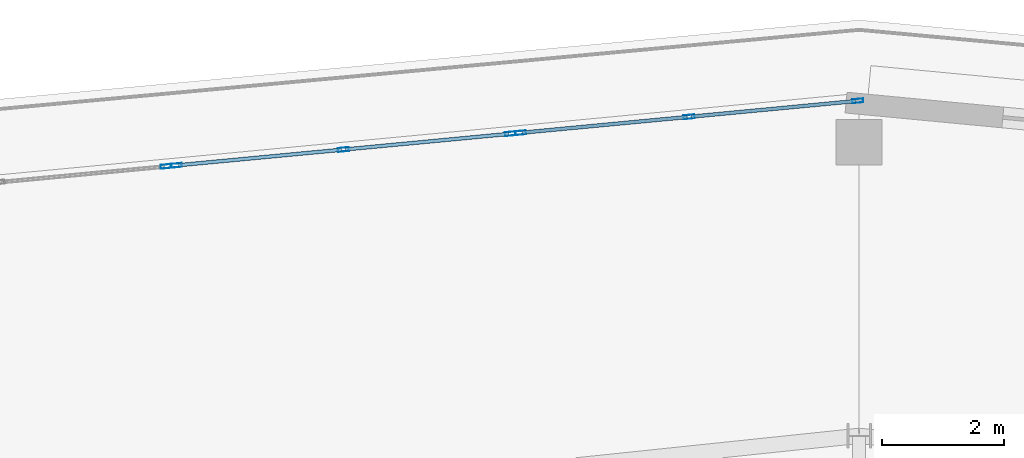
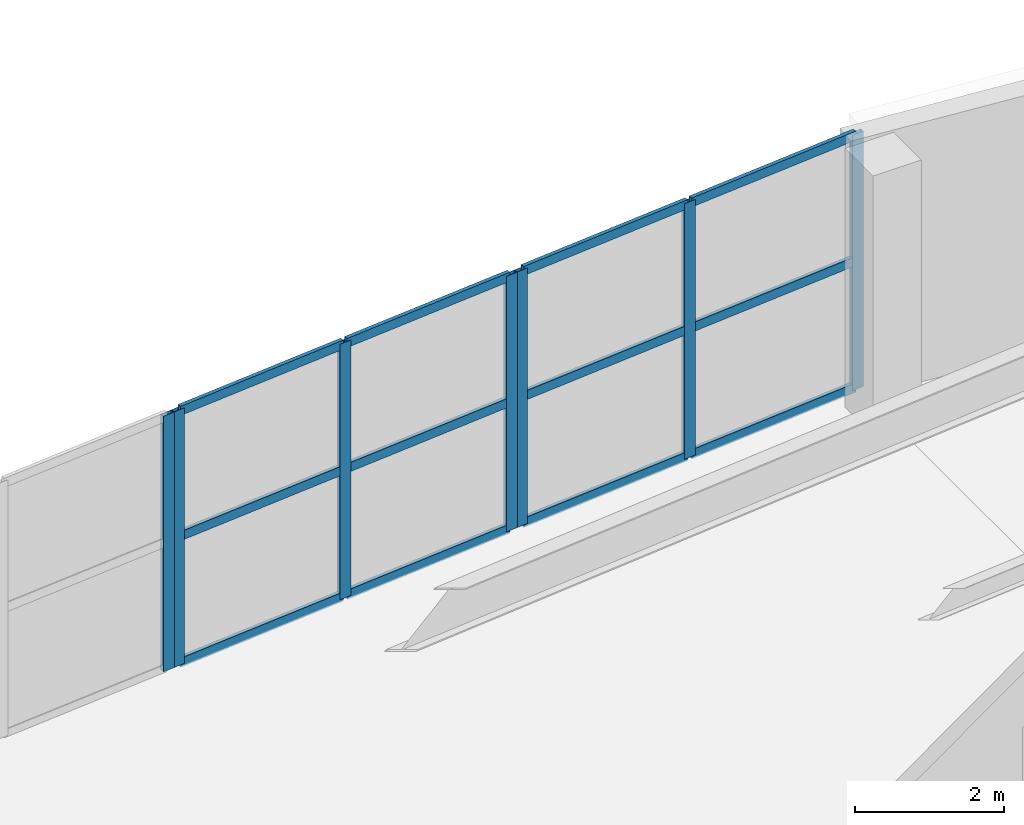
# One storey, part 36 of 107: 19 members, 3 elements without a shape of their own.
"""IFC4 building model written with IfcOpenShell, lengths in metres."""

import ifcopenshell
import ifcopenshell.guid

model = None  # the IFC model being written
_history = None  # IfcOwnerHistory: only IFC2X3 demands one
_inside = {}  # id of a spatial element -> (the spatial element, [elements in it])
_under = {}  # id of a project, library or spatial element -> (it, [spatial elements below it])
_declared = {}  # id of a project -> (the project, [libraries it declares])
_typed = {}  # id of a type object -> (the type object, [elements of that type])
_made_of = {}  # id of a material, layer set ... -> (it, [elements and type objects made of it])


def new_model(schema):
    """Start an empty IFC model of exactly this schema.

    Asked for "IFC4X3", IfcOpenShell would pick the latest addendum, in which some entities
    have other attributes; the version numbers below select the first issue.
    IFC2X3 requires an IfcOwnerHistory on every rooted entity: one is made here for all.
    """
    global model, _history
    if schema == "IFC4X3":
        model = ifcopenshell.file(schema_version=(4, 3, 0, 0))
    else:
        model = ifcopenshell.file(schema=schema)
    _inside.clear()
    _under.clear()
    _declared.clear()
    _typed.clear()
    _made_of.clear()
    _history = None
    if model.schema == "IFC2X3":
        org = make("IfcOrganization", Name="unknown")
        user = make(
            "IfcPersonAndOrganization",
            ThePerson=make("IfcPerson", FamilyName="unknown"),
            TheOrganization=org,
        )
        app = make(
            "IfcApplication",
            ApplicationDeveloper=org,
            Version="unknown",
            ApplicationFullName="unknown",
            ApplicationIdentifier="unknown",
        )
        _history = make(
            "IfcOwnerHistory",
            OwningUser=user,
            OwningApplication=app,
            ChangeAction="ADDED",
            CreationDate=0,
        )
    return model


def make(cls, **values):
    """One entity of the class cls with the attributes given. An attribute that is None is left unset."""
    return model.create_entity(
        cls, **{name: value for name, value in values.items() if value is not None}
    )


def rooted(cls, **values):
    """An entity with a GlobalId (a new one), such as an element, a storey or a relation."""
    return make(cls, GlobalId=ifcopenshell.guid.new(), OwnerHistory=_history, **values)


def si_unit(unit_type, name, prefix=None):
    """IfcSIUnit, for example si_unit("LENGTHUNIT", "METRE", prefix="MILLI")."""
    return make("IfcSIUnit", UnitType=unit_type, Prefix=prefix, Name=name)


def assignment(units):
    """IfcUnitAssignment: the units of a project."""
    return None if units is None else make("IfcUnitAssignment", Units=units)


def point(xyz):
    """IfcCartesianPoint."""
    return None if xyz is None else make("IfcCartesianPoint", Coordinates=xyz)


def direction(xyz):
    """IfcDirection."""
    return None if xyz is None else make("IfcDirection", DirectionRatios=xyz)


def frame(location, z_axis=None, x_axis=None):
    """IfcAxis2Placement3D, a coordinate frame: its origin and axes. An axis left out is left unset."""
    return make(
        "IfcAxis2Placement3D",
        Location=point(location),
        Axis=direction(z_axis),
        RefDirection=direction(x_axis),
    )


def frame_2d(location, x_axis=None):
    """IfcAxis2Placement2D, a coordinate frame in the plane: its origin and x axis."""
    return make(
        "IfcAxis2Placement2D", Location=point(location), RefDirection=direction(x_axis)
    )


def origin():
    """The frame at (0, 0, 0) with its axes left unset."""
    return frame((0.0, 0.0, 0.0))


def origin_2d():
    """The frame at (0, 0) in the plane with its x axis left unset."""
    return frame_2d((0.0, 0.0))


def place(relative_to, where):
    """IfcLocalPlacement: puts the frame where relative to a parent placement (None: the world)."""
    return make(
        "IfcLocalPlacement", PlacementRelTo=relative_to, RelativePlacement=where
    )


def context(
    kind, dimensions, precision=None, world=None, true_north=None, identifier=None
):
    """IfcGeometricRepresentationContext, for example the 3D "Model" context."""
    return make(
        "IfcGeometricRepresentationContext",
        ContextIdentifier=identifier,
        ContextType=kind,
        CoordinateSpaceDimension=dimensions,
        Precision=precision,
        WorldCoordinateSystem=world,
        TrueNorth=true_north,
    )


def subcontext(parent, identifier, kind, view, scale=None):
    """IfcGeometricRepresentationSubContext, for example "Body" below "Model"."""
    return make(
        "IfcGeometricRepresentationSubContext",
        ContextIdentifier=identifier,
        ContextType=kind,
        ParentContext=parent,
        TargetScale=scale,
        TargetView=view,
    )


def project(units=None, contexts=None):
    """IfcProject with its units and contexts."""
    return rooted(
        "IfcProject",
        Name="project",
        RepresentationContexts=contexts,
        UnitsInContext=assignment(units),
    )


def spatial(cls, under=None, at=None, **own):
    """A site, building, storey or space (cls), placed at a placement, below another one or the project."""
    s = rooted(cls, ObjectPlacement=at, **own)
    if under is not None:
        _under.setdefault(under.id(), (under, []))[1].append(s)
    return s


def profile(cls, at=None, kind="AREA", **sizes):
    """A parametric profile (cls). Its sizes go by their IFC names, for example OverallWidth=200.0."""
    return make(cls, ProfileType=kind, Position=at, **sizes)


def hollow_rectangle(**sizes):
    """IfcRectangleHollowProfileDef."""
    return profile("IfcRectangleHollowProfileDef", **sizes)


def extrude(swept, where, along, depth):
    """IfcExtrudedAreaSolid: the profile swept, set in the frame where, extruded along a direction by depth."""
    return make(
        "IfcExtrudedAreaSolid",
        SweptArea=swept,
        Position=where,
        ExtrudedDirection=direction(along),
        Depth=depth,
    )


def shape(context_of_items, identifier, shape_type, items):
    """IfcShapeRepresentation: the items that make up one representation, for example the "Body"."""
    return make(
        "IfcShapeRepresentation",
        ContextOfItems=context_of_items,
        RepresentationIdentifier=identifier,
        RepresentationType=shape_type,
        Items=items,
    )


def material(Name=None, Category=None):
    """IfcMaterial."""
    return make("IfcMaterial", Name=Name, Category=Category)


def layer(
    of_material, thickness, ventilated=None, Name=None, Category=None, Priority=None
):
    """IfcMaterialLayer: one layer of a wall or slab, of a material (None: an air gap)."""
    return make(
        "IfcMaterialLayer",
        Material=of_material,
        LayerThickness=thickness,
        IsVentilated=ventilated,
        Name=Name,
        Category=Category,
        Priority=Priority,
    )


def layer_set(layers, Name=None):
    """IfcMaterialLayerSet."""
    return make("IfcMaterialLayerSet", MaterialLayers=layers, LayerSetName=Name)


def material_profile(
    of_material, cross_section, Name=None, Category=None, Priority=None
):
    """IfcMaterialProfile: a cross section and its material."""
    return make(
        "IfcMaterialProfile",
        Name=Name,
        Material=of_material,
        Profile=cross_section,
        Priority=Priority,
        Category=Category,
    )


def profile_set(profiles, Name=None, composite=None):
    """IfcMaterialProfileSet."""
    return make(
        "IfcMaterialProfileSet",
        Name=Name,
        MaterialProfiles=profiles,
        CompositeProfile=composite,
    )


def made_of(thing, what):
    """Note that an element or type object is made of a material, layer set ...; save() writes the relation."""
    if what is not None:
        _made_of.setdefault(what.id(), (what, []))[1].append(thing)
    return thing


def type_object(cls, material=None, **own):
    """A type object (cls), such as IfcWallType, which elements share."""
    return made_of(rooted(cls, **own), material)


def element(
    cls,
    number,
    at=None,
    inside=None,
    cuts=None,
    type_object=None,
    material=None,
    context=None,
    identifier="Body",
    shape_type=None,
    held_by="IfcProductDefinitionShape",
    body=None,
    shapes=None,
    **own,
):
    """One element of the class cls, such as IfcWall. Its Tag is "e" and its number.

    at: its placement. inside: the storey or other place that contains it. cuts: it is an
    opening in that element (IfcRelVoidsElement). A single representation is given by context,
    identifier, shape_type and body (its items); several are given by shapes. held_by: the class
    of the entity that holds the representations. save() writes the other relations.
    """
    e = rooted(cls, Tag="e%d" % number, ObjectPlacement=at, **own)
    if body is not None:
        shapes = [shape(context, identifier, shape_type, body)]
    if shapes is not None:
        e.Representation = make(held_by, Representations=shapes)
    if inside is not None:
        _inside.setdefault(inside.id(), (inside, []))[1].append(e)
    if cuts is not None:
        rooted(
            "IfcRelVoidsElement", RelatingBuildingElement=cuts, RelatedOpeningElement=e
        )
    if type_object is not None:
        _typed.setdefault(type_object.id(), (type_object, []))[1].append(e)
    return made_of(e, material)


def aggregate(whole, parts):
    """IfcRelAggregates: a whole, such as a stair, and the parts it consists of."""
    return rooted("IfcRelAggregates", RelatingObject=whole, RelatedObjects=parts)


def save(model, path):
    """Write the relations noted so far, then the file.

    IfcRelAggregates (storeys below a building ...), IfcRelContainedInSpatialStructure (elements
    in a storey), IfcRelDefinesByType, IfcRelAssociatesMaterial and IfcRelDeclares: one each for
    every whole, place, type object, material and project.
    """
    for whole, parts in _under.values():
        aggregate(whole, parts)
    for where, things in _inside.values():
        rooted(
            "IfcRelContainedInSpatialStructure",
            RelatedElements=things,
            RelatingStructure=where,
        )
    for kind, things in _typed.values():
        rooted("IfcRelDefinesByType", RelatedObjects=things, RelatingType=kind)
    for what, things in _made_of.values():
        rooted("IfcRelAssociatesMaterial", RelatedObjects=things, RelatingMaterial=what)
    for by, libraries in _declared.values():
        rooted("IfcRelDeclares", RelatingContext=by, RelatedDefinitions=libraries)
    model.write(path)


model = new_model("IFC4")

# Units and contexts
model_context = context("Model", 3, precision=1e-05, world=origin(), true_north=direction((0.0, 1.0)))
body_context = subcontext(model_context, "Body", "Model", "MODEL_VIEW")
ifc_project = project(units=[si_unit("LENGTHUNIT", "METRE"), si_unit("AREAUNIT", "SQUARE_METRE"), si_unit("VOLUMEUNIT", "CUBIC_METRE"), si_unit("PLANEANGLEUNIT", "RADIAN"), si_unit("MASSUNIT", "GRAM", prefix="KILO")], contexts=[model_context])

# Site, building, storey
site_placement = place(None, origin())
site = spatial("IfcSite", under=ifc_project, at=site_placement, CompositionType="ELEMENT")
building_placement = place(site_placement, origin())
building = spatial("IfcBuilding", under=site, at=building_placement, Name="Kalgoora Escarpment Arena", CompositionType="ELEMENT")
storey_placement = place(building_placement, frame((0.0, 0.0, 5.39990234375)))
storey = spatial("IfcBuildingStorey", under=building, at=storey_placement, Name="L01", CompositionType="ELEMENT", Elevation=5.39990234375)

# Curtain wall, member
ifc_material_1 = material(Name=" Champagne anodised aluminium & double-glazed low-E", Category="aluminium")
ifc_layer_1 = layer(ifc_material_1, 0.162109375)
ifc_layer_set_1 = layer_set([ifc_layer_1], Name="CW-UNIT-03")
curtain_wall_type_1 = type_object("IfcCurtainWallType", Name="CW-UNIT-03", PredefinedType="NOTDEFINED", material=ifc_layer_set_1)
curtain_wall_1_placement = place(storey_placement, origin())
curtain_wall_1 = element("IfcCurtainWall", 1, at=curtain_wall_1_placement, inside=storey, type_object=curtain_wall_type_1, Name="L01 unitised facade curtain wall 022", PredefinedType="NOTDEFINED")
ifc_material_2 = material(Name="Anodised aluminium 6063-T6", Category="aluminium")
ifc_material_profile_1 = material_profile(ifc_material_2, hollow_rectangle(XDim=0.06494140625, YDim=0.179931640625, WallThickness=0.00390625, at=origin_2d()))
ifc_profile_set_1 = profile_set([ifc_material_profile_1], Name="Anodised aluminium 6063-T6")
member_type_1 = type_object("IfcMemberType", Name="MEM-CW-MULL-180", PredefinedType="MULLION", material=ifc_profile_set_1)
member_1_placement = place(storey_placement, frame((81.070556640625, 125.40625, 0.02001953125), z_axis=(0.0, 0.0, 1.0), x_axis=(-0.094301024516, 0.995543729213, 0.0)))
member_1 = element("IfcMember", 2, at=member_1_placement, type_object=member_type_1, Name="CW-03 mullion 3", PredefinedType="MULLION", context=body_context, shape_type="SweptSolid", body=[
    extrude(hollow_rectangle(XDim=0.06494140625, YDim=0.179931640625, WallThickness=0.00390625, at=origin_2d()), origin(), (0.0, 0.0, 1.0), 4.190185546875),
])
aggregate(curtain_wall_1, [member_1])

# Curtain wall, members
ifc_material_3 = material(Name=" Champagne anodised aluminium & double-glazed low-E", Category="aluminium")
ifc_layer_2 = layer(ifc_material_3, 0.166015625)
ifc_layer_set_2 = layer_set([ifc_layer_2], Name="CW-UNIT-04")
curtain_wall_type_2 = type_object("IfcCurtainWallType", Name="CW-UNIT-04", PredefinedType="NOTDEFINED", material=ifc_layer_set_2)
curtain_wall_2_placement = place(storey_placement, origin())
curtain_wall_2 = element("IfcCurtainWall", 3, at=curtain_wall_2_placement, inside=storey, type_object=curtain_wall_type_2, Name="L01 unitised facade curtain wall 023", PredefinedType="NOTDEFINED")
member_2_placement = place(storey_placement, frame((81.23486328125, 125.421875, 0.02001953125), z_axis=(0.0, 0.0, 1.0), x_axis=(-0.094301024516, 0.995543729213, 0.0)))
member_2 = element("IfcMember", 4, at=member_2_placement, type_object=member_type_1, Name="CW-04 mullion 1", PredefinedType="MULLION", context=body_context, shape_type="SweptSolid", body=[
    extrude(hollow_rectangle(XDim=0.06494140625, YDim=0.179931640625, WallThickness=0.00390625, at=origin_2d()), origin(), (0.0, 0.0, 1.0), 4.190185546875),
])
member_3_placement = place(storey_placement, frame((83.96728515625, 125.6806640625, 0.02001953125), z_axis=(0.0, 0.0, 1.0), x_axis=(-0.094301024516, 0.995543729213, 0.0)))
member_3 = element("IfcMember", 5, at=member_3_placement, type_object=member_type_1, Name="CW-04 mullion 2", PredefinedType="MULLION", context=body_context, shape_type="SweptSolid", body=[
    extrude(hollow_rectangle(XDim=0.06494140625, YDim=0.179931640625, WallThickness=0.00390625, at=origin_2d()), origin(), (0.0, 0.0, 1.0), 4.190185546875),
])
member_4_placement = place(storey_placement, frame((86.699951171875, 125.939453125, 0.02001953125), z_axis=(0.0, 0.0, 1.0), x_axis=(-0.094301024516, 0.995543729213, 0.0)))
member_4 = element("IfcMember", 6, at=member_4_placement, type_object=member_type_1, Name="CW-04 mullion 3", PredefinedType="MULLION", context=body_context, shape_type="SweptSolid", body=[
    extrude(hollow_rectangle(XDim=0.06494140625, YDim=0.179931640625, WallThickness=0.00390625, at=origin_2d()), origin(), (0.0, 0.0, 1.0), 4.190185546875),
])

ifc_material_4 = material(Name=" Champagne anodised aluminium & double-glazed low-E", Category="aluminium")
ifc_layer_3 = layer(ifc_material_4, 0.14990234375)
ifc_layer_set_3 = layer_set([ifc_layer_3], Name="CW-UNIT-05")
curtain_wall_type_3 = type_object("IfcCurtainWallType", Name="CW-UNIT-05", PredefinedType="NOTDEFINED", material=ifc_layer_set_3)
curtain_wall_3_placement = place(storey_placement, origin())
curtain_wall_3 = element("IfcCurtainWall", 7, at=curtain_wall_3_placement, inside=storey, type_object=curtain_wall_type_3, Name="L01 unitised facade curtain wall 024", PredefinedType="NOTDEFINED")
member_5_placement = place(storey_placement, frame((86.8642578125, 125.955078125, 0.02001953125), z_axis=(0.0, 0.0, 1.0), x_axis=(-0.094299655777, 0.995543858863, 0.0)))
member_5 = element("IfcMember", 8, at=member_5_placement, type_object=member_type_1, Name="CW-05 mullion 1", PredefinedType="MULLION", context=body_context, shape_type="SweptSolid", body=[
    extrude(hollow_rectangle(XDim=0.06494140625, YDim=0.179931640625, WallThickness=0.00390625, at=origin_2d()), origin(), (0.0, 0.0, 1.0), 4.190185546875),
])
member_6_placement = place(storey_placement, frame((89.62158203125, 126.21630859375, 0.02001953125), z_axis=(0.0, 0.0, 1.0), x_axis=(-0.094299655777, 0.995543858863, 0.0)))
member_6 = element("IfcMember", 9, at=member_6_placement, type_object=member_type_1, Name="CW-05 mullion 2", PredefinedType="MULLION", context=body_context, shape_type="SweptSolid", body=[
    extrude(hollow_rectangle(XDim=0.06494140625, YDim=0.179931640625, WallThickness=0.00390625, at=origin_2d()), origin(), (0.0, 0.0, 1.0), 4.190185546875),
])
member_7_placement = place(storey_placement, frame((92.37890625, 126.4775390625, 0.02001953125), z_axis=(0.0, 0.0, 1.0), x_axis=(-0.094299655777, 0.995543858863, 0.0)))
member_7 = element("IfcMember", 10, at=member_7_placement, type_object=member_type_1, Name="CW-05 mullion 3", PredefinedType="MULLION", context=body_context, shape_type="SweptSolid", body=[
    extrude(hollow_rectangle(XDim=0.06494140625, YDim=0.179931640625, WallThickness=0.00390625, at=origin_2d()), origin(), (0.0, 0.0, 1.0), 4.190185546875),
])

# Member
ifc_material_5 = material(Name="Anodised aluminium 6063-T6", Category="aluminium")
ifc_material_profile_2 = material_profile(ifc_material_5, hollow_rectangle(XDim=0.06005859375, YDim=0.14990234375, WallThickness=0.00341796875, at=origin_2d()))
ifc_profile_set_2 = profile_set([ifc_material_profile_2], Name="Anodised aluminium 6063-T6")
member_type_2 = type_object("IfcMemberType", Name="MEM-CW-TRAN-150", PredefinedType="USERDEFINED", material=ifc_profile_set_2)
member_8_placement = place(storey_placement, frame((81.26708984375, 125.425048828125, 0.050048828125), z_axis=(0.995544878907, 0.094288886317, 0.0), x_axis=(-0.094288886317, 0.995544878907, 0.0)))
member_8 = element("IfcMember", 11, at=member_8_placement, type_object=member_type_2, Name="CW-04 transom 1.1", ObjectType="TRANSOM", PredefinedType="USERDEFINED", context=body_context, shape_type="SweptSolid", body=[
    extrude(hollow_rectangle(XDim=0.06005859375, YDim=0.14990234375, WallThickness=0.00341796875, at=origin_2d()), origin(), (0.0, 0.0, 1.0), 2.679931640625),
])

member_9_placement = place(storey_placement, frame((81.26708984375, 125.425048828125, 2.125), z_axis=(0.995544878907, 0.094288886317, 0.0), x_axis=(-0.094288886317, 0.995544878907, 0.0)))
member_9 = element("IfcMember", 12, at=member_9_placement, type_object=member_type_2, Name="CW-04 transom 1.2", ObjectType="TRANSOM", PredefinedType="USERDEFINED", context=body_context, shape_type="SweptSolid", body=[
    extrude(hollow_rectangle(XDim=0.06005859375, YDim=0.14990234375, WallThickness=0.00341796875, at=origin_2d()), origin(), (0.0, 0.0, 1.0), 2.679931640625),
])

member_10_placement = place(storey_placement, frame((81.26708984375, 125.425048828125, 4.18017578125), z_axis=(0.995544878907, 0.094288886317, 0.0), x_axis=(-0.094288886317, 0.995544878907, 0.0)))
member_10 = element("IfcMember", 13, at=member_10_placement, type_object=member_type_2, Name="CW-04 transom 1.3", ObjectType="TRANSOM", PredefinedType="USERDEFINED", context=body_context, shape_type="SweptSolid", body=[
    extrude(hollow_rectangle(XDim=0.06005859375, YDim=0.14990234375, WallThickness=0.00341796875, at=origin_2d()), origin(), (0.0, 0.0, 1.0), 2.679931640625),
])

member_11_placement = place(storey_placement, frame((83.999755859375, 125.683837890625, 0.050048828125), z_axis=(0.995544068878, 0.094297438573, 0.0), x_axis=(-0.094297438573, 0.995544068878, 0.0)))
member_11 = element("IfcMember", 14, at=member_11_placement, type_object=member_type_2, Name="CW-04 transom 2.1", ObjectType="TRANSOM", PredefinedType="USERDEFINED", context=body_context, shape_type="SweptSolid", body=[
    extrude(hollow_rectangle(XDim=0.06005859375, YDim=0.14990234375, WallThickness=0.00341796875, at=origin_2d()), origin(), (0.0, 0.0, 1.0), 2.6796875),
])

member_12_placement = place(storey_placement, frame((83.999755859375, 125.683837890625, 2.125), z_axis=(0.995544068878, 0.094297438573, 0.0), x_axis=(-0.094297438573, 0.995544068878, 0.0)))
member_12 = element("IfcMember", 15, at=member_12_placement, type_object=member_type_2, Name="CW-04 transom 2.2", ObjectType="TRANSOM", PredefinedType="USERDEFINED", context=body_context, shape_type="SweptSolid", body=[
    extrude(hollow_rectangle(XDim=0.06005859375, YDim=0.14990234375, WallThickness=0.00341796875, at=origin_2d()), origin(), (0.0, 0.0, 1.0), 2.6796875),
])

member_13_placement = place(storey_placement, frame((83.999755859375, 125.683837890625, 4.18017578125), z_axis=(0.995544068878, 0.094297438573, 0.0), x_axis=(-0.094297438573, 0.995544068878, 0.0)))
member_13 = element("IfcMember", 16, at=member_13_placement, type_object=member_type_2, Name="CW-04 transom 2.3", ObjectType="TRANSOM", PredefinedType="USERDEFINED", context=body_context, shape_type="SweptSolid", body=[
    extrude(hollow_rectangle(XDim=0.06005859375, YDim=0.14990234375, WallThickness=0.00341796875, at=origin_2d()), origin(), (0.0, 0.0, 1.0), 2.6796875),
])

aggregate(curtain_wall_2, [member_2, member_3, member_4, member_8, member_9, member_10, member_11, member_12, member_13])

member_14_placement = place(storey_placement, frame((86.896484375, 125.9580078125, 0.050048828125), z_axis=(0.995541199062, 0.094327731709, 0.0), x_axis=(-0.094327731709, 0.995541199062, 0.0)))
member_14 = element("IfcMember", 17, at=member_14_placement, type_object=member_type_2, Name="CW-05 transom 1.1", ObjectType="TRANSOM", PredefinedType="USERDEFINED", context=body_context, shape_type="SweptSolid", body=[
    extrude(hollow_rectangle(XDim=0.06005859375, YDim=0.14990234375, WallThickness=0.00341796875, at=origin_2d()), origin(), (0.0, 0.0, 1.0), 2.70458984375),
])

member_15_placement = place(storey_placement, frame((86.896484375, 125.9580078125, 2.125), z_axis=(0.995541199062, 0.094327731709, 0.0), x_axis=(-0.094327731709, 0.995541199062, 0.0)))
member_15 = element("IfcMember", 18, at=member_15_placement, type_object=member_type_2, Name="CW-05 transom 1.2", ObjectType="TRANSOM", PredefinedType="USERDEFINED", context=body_context, shape_type="SweptSolid", body=[
    extrude(hollow_rectangle(XDim=0.06005859375, YDim=0.14990234375, WallThickness=0.00341796875, at=origin_2d()), origin(), (0.0, 0.0, 1.0), 2.70458984375),
])

member_16_placement = place(storey_placement, frame((86.896484375, 125.9580078125, 4.18017578125), z_axis=(0.995541199062, 0.094327731709, 0.0), x_axis=(-0.094327731709, 0.995541199062, 0.0)))
member_16 = element("IfcMember", 19, at=member_16_placement, type_object=member_type_2, Name="CW-05 transom 1.3", ObjectType="TRANSOM", PredefinedType="USERDEFINED", context=body_context, shape_type="SweptSolid", body=[
    extrude(hollow_rectangle(XDim=0.06005859375, YDim=0.14990234375, WallThickness=0.00341796875, at=origin_2d()), origin(), (0.0, 0.0, 1.0), 2.70458984375),
])

member_17_placement = place(storey_placement, frame((89.65380859375, 126.21923828125, 0.050048828125), z_axis=(0.995542002114, 0.094319255867, 0.0), x_axis=(-0.094319255867, 0.995542002114, 0.0)))
member_17 = element("IfcMember", 20, at=member_17_placement, type_object=member_type_2, Name="CW-05 transom 2.1", ObjectType="TRANSOM", PredefinedType="USERDEFINED", context=body_context, shape_type="SweptSolid", body=[
    extrude(hollow_rectangle(XDim=0.06005859375, YDim=0.14990234375, WallThickness=0.00341796875, at=origin_2d()), origin(), (0.0, 0.0, 1.0), 2.704833984375),
])

member_18_placement = place(storey_placement, frame((89.65380859375, 126.21923828125, 2.125), z_axis=(0.995542002114, 0.094319255867, 0.0), x_axis=(-0.094319255867, 0.995542002114, 0.0)))
member_18 = element("IfcMember", 21, at=member_18_placement, type_object=member_type_2, Name="CW-05 transom 2.2", ObjectType="TRANSOM", PredefinedType="USERDEFINED", context=body_context, shape_type="SweptSolid", body=[
    extrude(hollow_rectangle(XDim=0.06005859375, YDim=0.14990234375, WallThickness=0.00341796875, at=origin_2d()), origin(), (0.0, 0.0, 1.0), 2.704833984375),
])

member_19_placement = place(storey_placement, frame((89.65380859375, 126.21923828125, 4.18017578125), z_axis=(0.995542002114, 0.094319255867, 0.0), x_axis=(-0.094319255867, 0.995542002114, 0.0)))
member_19 = element("IfcMember", 22, at=member_19_placement, type_object=member_type_2, Name="CW-05 transom 2.3", ObjectType="TRANSOM", PredefinedType="USERDEFINED", context=body_context, shape_type="SweptSolid", body=[
    extrude(hollow_rectangle(XDim=0.06005859375, YDim=0.14990234375, WallThickness=0.00341796875, at=origin_2d()), origin(), (0.0, 0.0, 1.0), 2.704833984375),
])

aggregate(curtain_wall_3, [member_5, member_6, member_7, member_14, member_15, member_16, member_17, member_18, member_19])

save(model, "model.ifc")
